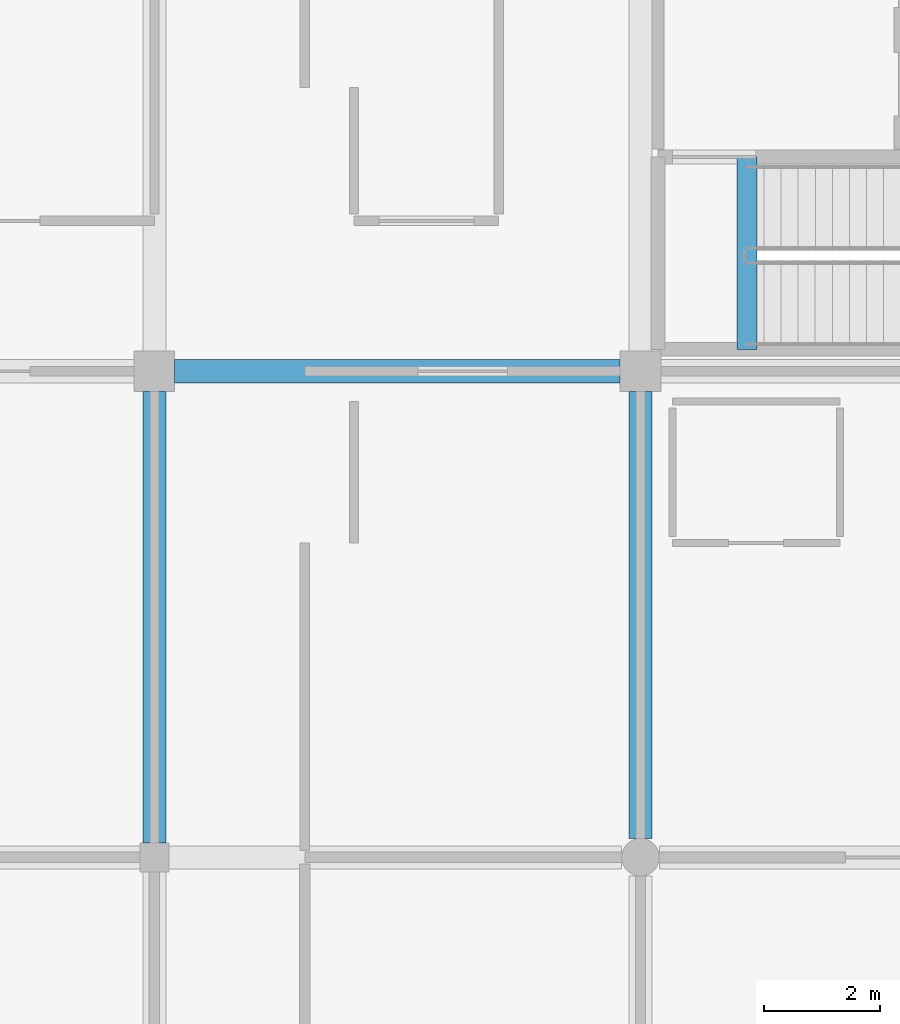
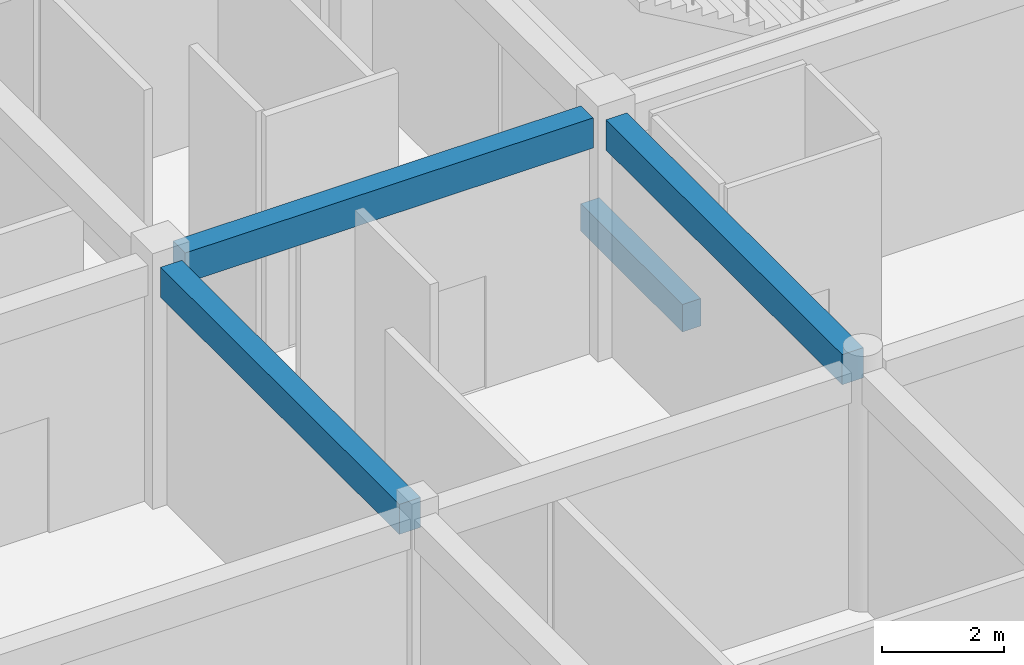
# One storey, part 46 of 134: 4 beams.
"""IFC4 building model written with IfcOpenShell, lengths in metres."""

from ifc_helpers import new_model, si_unit, direction, frame, origin, origin_2d, place, context, subcontext, project, spatial, rectangle, extrude, material, material_profile, profile_set, type_object, element, save


model = new_model("IFC4")

# Units and contexts
model_context = context("Model", 3, precision=1e-05, world=origin(), true_north=direction((0.0, 1.0)))
body_context = subcontext(model_context, "Body", "Model", "MODEL_VIEW")
ifc_project = project(units=[si_unit("LENGTHUNIT", "METRE"), si_unit("AREAUNIT", "SQUARE_METRE"), si_unit("VOLUMEUNIT", "CUBIC_METRE"), si_unit("PLANEANGLEUNIT", "RADIAN"), si_unit("MASSUNIT", "GRAM", prefix="KILO")], contexts=[model_context])

# Site, building, storey
site_placement = place(None, origin())
site = spatial("IfcSite", under=ifc_project, at=site_placement, CompositionType="ELEMENT")
building_placement = place(site_placement, origin())
building = spatial("IfcBuilding", under=site, at=building_placement, Name="Bramfleet General Hospital", CompositionType="ELEMENT")
storey_placement = place(building_placement, frame((0.0, 0.0, 9.300048828125)))
storey = spatial("IfcBuildingStorey", under=building, at=storey_placement, Name="L02", CompositionType="ELEMENT", Elevation=9.300048828125)

# Beams
ifc_material = material(Name="Concrete C35/45", Category="concrete")
ifc_material_profile_1 = material_profile(ifc_material, rectangle(XDim=0.35009765625, YDim=0.550048828125, at=origin_2d()), Name="RC BM 550x350")
ifc_profile_set_1 = profile_set([ifc_material_profile_1], Name="Concrete C35/45")
beam_type_1 = type_object("IfcBeamType", Name="BM-RC550", PredefinedType="BEAM", material=ifc_profile_set_1)
beam_1_placement = place(storey_placement, frame((77.43994140625, 92.780029296875, -0.275146484375), z_axis=(0.0, 1.0, 0.0), x_axis=(-1.0, 0.0, 0.0)))
element("IfcBeam", 1, at=beam_1_placement, inside=storey, type_object=beam_type_1, Name="L02 C5 Stairwell Trimmer Beam", PredefinedType="BEAM", context=body_context, shape_type="SweptSolid", body=[
    extrude(rectangle(XDim=0.35009765625, YDim=0.550048828125, at=origin_2d()), origin(), (0.0, 0.0, 1.0), 3.320068359375),
])
ifc_material_profile_2 = material_profile(ifc_material, rectangle(XDim=0.39990234375, YDim=0.60009765625, at=origin_2d()), Name="RC BM 600x400")
ifc_profile_set_2 = profile_set([ifc_material_profile_2], Name="Concrete C35/45")
beam_type_2 = type_object("IfcBeamType", Name="BM-RC600", PredefinedType="BEAM", material=ifc_profile_set_2)
beam_2_placement = place(storey_placement, frame((67.550048828125, 92.39990234375, 4.47998046875), z_axis=(1.0, 0.0, 0.0), x_axis=(0.0, 1.0, 0.0)))
element("IfcBeam", 2, at=beam_2_placement, inside=storey, type_object=beam_type_2, Name="L02 Grid Beam X 08-11", PredefinedType="BEAM", context=body_context, shape_type="SweptSolid", body=[
    extrude(rectangle(XDim=0.39990234375, YDim=0.60009765625, at=origin_2d()), origin(), (0.0, 0.0, 1.0), 7.699951171875),
])
beam_3_placement = place(storey_placement, frame((67.199951171875, 84.25, 4.47998046875), z_axis=(0.0, 1.0, 0.0), x_axis=(-1.0, 0.0, 0.0)))
element("IfcBeam", 3, at=beam_3_placement, inside=storey, type_object=beam_type_2, Name="L02 Grid Beam Y 08-10", PredefinedType="BEAM", context=body_context, shape_type="SweptSolid", body=[
    extrude(rectangle(XDim=0.39990234375, YDim=0.60009765625, at=origin_2d()), origin(), (0.0, 0.0, 1.0), 7.800048828125),
])
beam_4_placement = place(storey_placement, frame((75.60009765625, 84.324951171875, 4.47998046875), z_axis=(0.0, 1.0, 0.0), x_axis=(-1.0, 0.0, 0.0)))
element("IfcBeam", 4, at=beam_4_placement, inside=storey, type_object=beam_type_2, Name="L02 Grid Beam Y 09-10", PredefinedType="BEAM", context=body_context, shape_type="SweptSolid", body=[
    extrude(rectangle(XDim=0.39990234375, YDim=0.60009765625, at=origin_2d()), origin(), (0.0, 0.0, 1.0), 7.72509765625),
])

save(model, "model.ifc")
